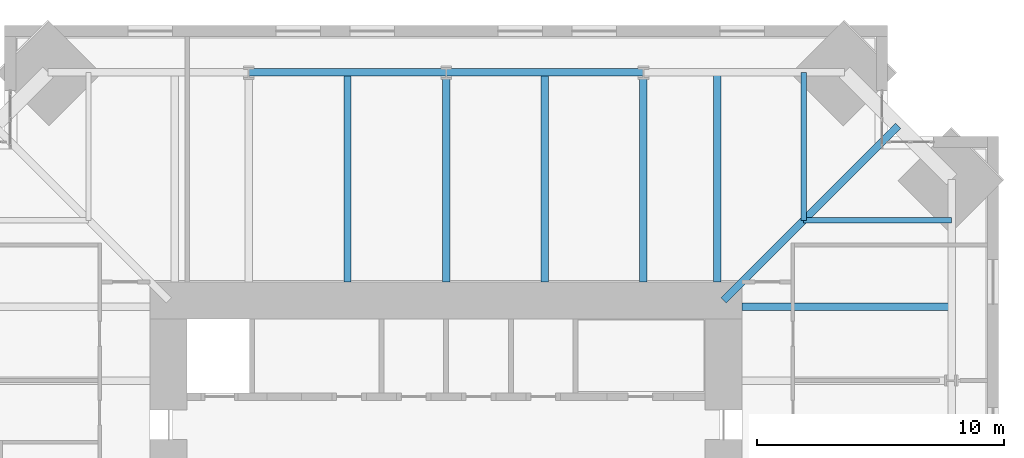
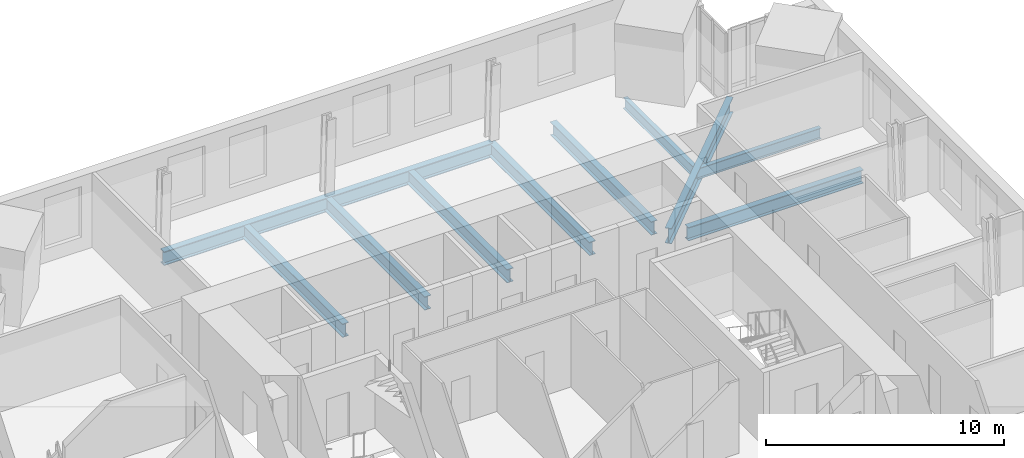
# One storey, part 8 of 17: 11 beams.
"""IFC4 building model written with IfcOpenShell, lengths in metres."""

from ifc_helpers import new_model, si_unit, direction, frame, origin, origin_2d, place, context, subcontext, project, spatial, i_section, extrude, material, material_profile, profile_set, type_object, element, save


model = new_model("IFC4")

# Units and contexts
model_context = context("Model", 3, precision=1e-05, world=origin(), true_north=direction((0.0, 1.0)))
body_context = subcontext(model_context, "Body", "Model", "MODEL_VIEW")
ifc_project = project(units=[si_unit("LENGTHUNIT", "METRE"), si_unit("AREAUNIT", "SQUARE_METRE"), si_unit("VOLUMEUNIT", "CUBIC_METRE"), si_unit("PLANEANGLEUNIT", "RADIAN"), si_unit("MASSUNIT", "GRAM", prefix="KILO")], contexts=[model_context])

# Site, building, storey
site_placement = place(None, origin())
site = spatial("IfcSite", under=ifc_project, at=site_placement, CompositionType="ELEMENT")
building_placement = place(site_placement, origin())
building = spatial("IfcBuilding", under=site, at=building_placement, Name="Peilmerk Tower", CompositionType="ELEMENT")
storey_placement = place(building_placement, frame((0.0, 0.0, 257.800048828125)))
storey = spatial("IfcBuildingStorey", under=building, at=storey_placement, Name="L57", CompositionType="ELEMENT", Elevation=257.800048828125)

# Beams
ifc_material = material(Name="Steel S355", Category="steel")
ifc_material_profile_1 = material_profile(ifc_material, i_section(OverallWidth=0.2099609375, OverallDepth=0.550048828125, WebThickness=0.010986328125, FlangeThickness=0.01708984375, at=origin_2d()), Name="IPE 550")
ifc_profile_set_1 = profile_set([ifc_material_profile_1], Name="Steel S355")
beam_type_1 = type_object("IfcBeamType", Name="B12 IPE 550 floor beam", PredefinedType="BEAM", material=ifc_profile_set_1)
for number, where, z_axis, x_axis, name in (
    (1, (14.5, 14.5, -0.445068359375), (0.0, 1.0, 0.0), (-1.0, 0.0, 0.0), "Floor beam L57"),
    (2, (14.5, 14.5, -0.445068359375), (1.0, 0.0, 0.0), (0.0, 1.0, 0.0), "Floor beam L57"),
):
    element("IfcBeam", number, at=place(storey_placement, frame(where, z_axis=z_axis, x_axis=x_axis)), inside=storey, type_object=beam_type_1, Name=name, PredefinedType="BEAM", context=body_context, shape_type="SweptSolid", body=[
        extrude(i_section(OverallWidth=0.2099609375, OverallDepth=0.550048828125, WebThickness=0.010986328125, FlangeThickness=0.01708984375, at=origin_2d()), origin(), (0.0, 0.0, 1.0), 6.001708984375),
    ])
ifc_material_profile_2 = material_profile(ifc_material, i_section(OverallWidth=0.300048828125, OverallDepth=0.68994140625, WebThickness=0.014404296875, FlangeThickness=0.027099609375, at=origin_2d()), Name="HEA 700")
ifc_profile_set_2 = profile_set([ifc_material_profile_2], Name="Steel S355")
beam_type_2 = type_object("IfcBeamType", Name="B16 HEA 700 floor beam", PredefinedType="BEAM", material=ifc_profile_set_2)
for number, where, z_axis, x_axis, name in (
    (3, (11.0, 12.0, -0.51513671875), (0.0, 1.0, 0.0), (-1.0, 0.0, 0.0), "Floor beam L57"),
    (4, (8.0, 12.0, -0.51513671875), (0.0, 1.0, 0.0), (-1.0, 0.0, 0.0), "Floor beam L57"),
    (5, (4.0, 12.0, -0.51513671875), (0.0, 1.0, 0.0), (-1.0, 0.0, 0.0), "Floor beam L57"),
    (6, (0.0, 12.0, -0.51513671875), (0.0, 1.0, 0.0), (-1.0, 0.0, 0.0), "Floor beam L57"),
    (7, (-4.0, 12.0, -0.51513671875), (0.0, 1.0, 0.0), (-1.0, 0.0, 0.0), "Floor beam L57"),
    (8, (12.0, 11.0, -0.51513671875), (1.0, 0.0, 0.0), (0.0, 1.0, 0.0), "Floor beam L57"),
):
    element("IfcBeam", number, at=place(storey_placement, frame(where, z_axis=z_axis, x_axis=x_axis)), inside=storey, type_object=beam_type_2, Name=name, PredefinedType="BEAM", context=body_context, shape_type="SweptSolid", body=[
        extrude(i_section(OverallWidth=0.300048828125, OverallDepth=0.68994140625, WebThickness=0.014404296875, FlangeThickness=0.027099609375, at=origin_2d()), origin(), (0.0, 0.0, 1.0), 8.501708984375),
    ])
ifc_material_profile_3 = material_profile(ifc_material, i_section(OverallWidth=0.300048828125, OverallDepth=0.7900390625, WebThickness=0.014892578125, FlangeThickness=0.028076171875, at=origin_2d()), Name="HEA 800")
ifc_profile_set_3 = profile_set([ifc_material_profile_3], Name="Steel S355")
beam_type_3 = type_object("IfcBeamType", Name="B3 HEA 800 floor beam", PredefinedType="BEAM", material=ifc_profile_set_3)
beam_placement = place(storey_placement, frame((11.25, 11.25, -0.56494140625), z_axis=(0.707106781187, 0.707106781187, 0.0), x_axis=(-0.707106781187, 0.707106781187, 0.0)))
element("IfcBeam", 9, at=beam_placement, inside=storey, type_object=beam_type_3, Name="Corner girder L57", PredefinedType="BEAM", context=body_context, shape_type="SweptSolid", body=[
    extrude(i_section(OverallWidth=0.300048828125, OverallDepth=0.7900390625, WebThickness=0.014892578125, FlangeThickness=0.028076171875, at=origin_2d()), origin(), (0.0, 0.0, 1.0), 10.0078125),
])
ifc_material_profile_4 = material_profile(ifc_material, i_section(OverallWidth=0.303955078125, OverallDepth=0.716064453125, WebThickness=0.02099609375, FlangeThickness=0.0400390625, at=origin_2d()), Name="HEM 700")
ifc_profile_set_4 = profile_set([ifc_material_profile_4], Name="Steel S355")
beam_type_4 = type_object("IfcBeamType", Name="B30 HEM 700 edge beam", PredefinedType="SPANDREL", material=ifc_profile_set_4)
for number, where, z_axis, x_axis, name in (
    (10, (8.0, 20.501708984375, -0.528076171875), (-1.0, 0.0, 0.0), (0.0, -1.0, 0.0), "Edge beam L57"),
    (11, (0.0, 20.501708984375, -0.528076171875), (-1.0, 0.0, 0.0), (0.0, -1.0, 0.0), "Edge beam L57"),
):
    element("IfcBeam", number, at=place(storey_placement, frame(where, z_axis=z_axis, x_axis=x_axis)), inside=storey, type_object=beam_type_4, Name=name, PredefinedType="SPANDREL", context=body_context, shape_type="SweptSolid", body=[
        extrude(i_section(OverallWidth=0.303955078125, OverallDepth=0.716064453125, WebThickness=0.02099609375, FlangeThickness=0.0400390625, at=origin_2d()), origin(), (0.0, 0.0, 1.0), 8.0),
    ])

save(model, "model.ifc")
